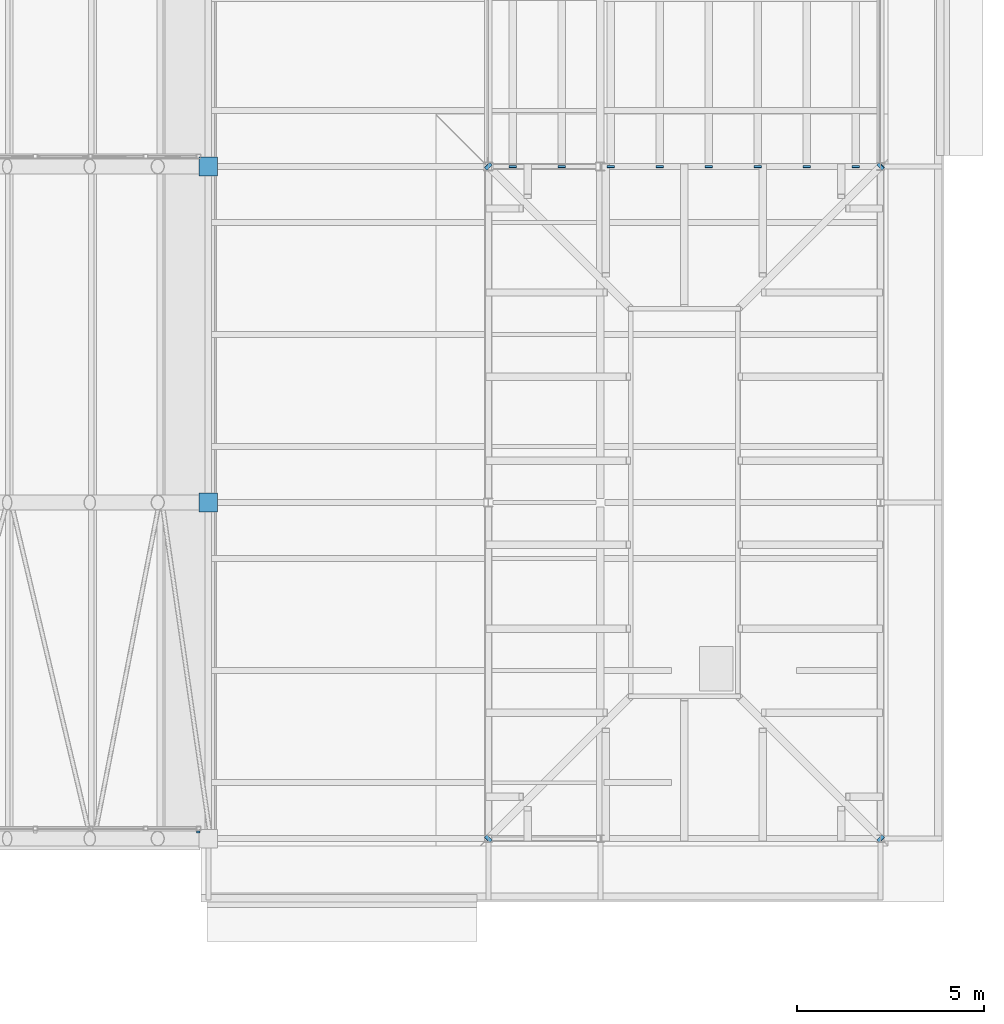
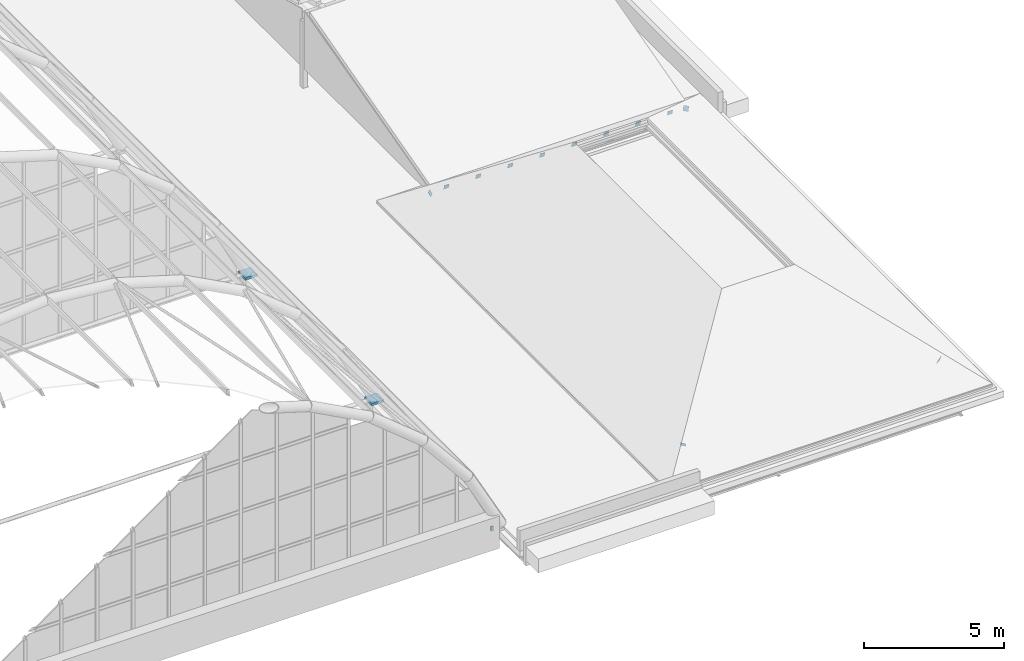
# One storey, part 105 of 121: 15 discrete accessories.
"""IFC4 building model written with IfcOpenShell, lengths in metres."""

from ifc_helpers import new_model, si_unit, direction, frame, origin, origin_2d, place, context, subcontext, project, spatial, rectangle, extrude, material, material_profile, profile_set, type_object, element, save


model = new_model("IFC4")

# Units and contexts
model_context = context("Model", 3, precision=1e-05, world=origin(), true_north=direction((0.0, 1.0)))
body_context = subcontext(model_context, "Body", "Model", "MODEL_VIEW")
ifc_project = project(units=[si_unit("LENGTHUNIT", "METRE"), si_unit("AREAUNIT", "SQUARE_METRE"), si_unit("VOLUMEUNIT", "CUBIC_METRE"), si_unit("PLANEANGLEUNIT", "RADIAN"), si_unit("MASSUNIT", "GRAM", prefix="KILO")], contexts=[model_context])

# Site, building, storey
site_placement = place(None, origin())
site = spatial("IfcSite", under=ifc_project, at=site_placement, CompositionType="ELEMENT")
building_placement = place(site_placement, origin())
building = spatial("IfcBuilding", under=site, at=building_placement, Name="Golden Quay Civic Hall", CompositionType="ELEMENT")
storey_placement = place(building_placement, frame((0.0, 0.0, 18.60009765625)))
storey = spatial("IfcBuildingStorey", under=building, at=storey_placement, Name="L04", CompositionType="ELEMENT", Elevation=18.60009765625)

# Discrete accessories
ifc_material_1 = material(Name="Steel S355", Category="steel")
discrete_accessory_type_1 = type_object("IfcDiscreteAccessoryType", Name="Hall screen bracket 100 x 200", PredefinedType="BRACKET", material=ifc_material_1)
discrete_accessory_placement = place(storey_placement, frame((98.735107421875, 0.179931640625, -0.21728515625), z_axis=(0.0, 0.0, 1.0), x_axis=(1.0, 0.0, 0.0)))
element("IfcDiscreteAccessory", 1, at=discrete_accessory_placement, inside=storey, type_object=discrete_accessory_type_1, Name="Hall screen bracket 18", PredefinedType="BRACKET", context=body_context, shape_type="SweptSolid", body=[
    extrude(rectangle(XDim=0.090087890625, YDim=0.06005859375, at=origin_2d()), origin(), (0.0, 0.0, 1.0), 0.199951171875),
])
ifc_material_2 = material(Name="Steel S355", Category="steel")
discrete_accessory_type_2 = type_object("IfcDiscreteAccessoryType", Name="Steel bearing shoe 500x500x100", PredefinedType="BRACKET", material=ifc_material_2)
for number, where, z_axis, x_axis, name in (
    (2, (99.0, 9.0, -0.000244140625), (0.0, 0.0, 1.0), (1.0, 0.0, 0.0), "Bearing shoe 2"),
    (3, (99.0, 18.0, -0.000244140625), (0.0, 0.0, 1.0), (1.0, 0.0, 0.0), "Bearing shoe 3"),
):
    element("IfcDiscreteAccessory", number, at=place(storey_placement, frame(where, z_axis=z_axis, x_axis=x_axis)), inside=storey, type_object=discrete_accessory_type_2, Name=name, PredefinedType="BRACKET", context=body_context, shape_type="SweptSolid", body=[
        extrude(rectangle(XDim=0.5, YDim=0.5, at=origin_2d()), origin(), (0.0, 0.0, 1.0), 0.10009765625),
    ])
ifc_material_3 = material(Name="Steel S355", Category="steel")
ifc_material_profile = material_profile(ifc_material_3, rectangle(XDim=0.199951171875, YDim=0.199951171875, at=origin_2d()), Name="Steel end cap plate 200x200x16")
ifc_profile_set = profile_set([ifc_material_profile], Name="Steel S355")
discrete_accessory_type_3 = type_object("IfcDiscreteAccessoryType", Name="Steel end cap plate 200x200x16", PredefinedType="BRACKET", material=ifc_profile_set)
for number, where, z_axis, x_axis, name in (
    (4, (106.5, 0.0, 0.92822265625), (-0.628025291884, -0.628025291884, -0.459530701378), (0.707106781187, -0.707106781187, 0.0), "End cap hip rafter EM-S south-west"),
    (5, (117.0, 0.0, 0.92822265625), (0.628025291884, -0.628025291884, -0.459530701378), (0.707106781187, 0.707106781187, 0.0), "End cap hip rafter EM-S south-east"),
    (6, (106.5, 18.0, 0.92822265625), (-0.628025291884, 0.628025291884, -0.459530701378), (-0.707106781187, -0.707106781187, 0.0), "End cap hip rafter EM-S north-west"),
    (7, (117.0, 18.0, 0.92822265625), (0.628025291884, 0.628025291884, -0.459530701378), (-0.707106781187, 0.707106781187, 0.0), "End cap hip rafter EM-S north-east"),
    (8, (107.15625, 18.0, 0.988525390625), (0.0, -0.965467637734, -0.260523013357), (1.0, 0.0, 0.0), "End cap gable rafter south 1"),
    (9, (108.46875, 18.0, 0.988525390625), (0.0, -0.965467637734, -0.260523013357), (1.0, 0.0, 0.0), "End cap gable rafter south 2"),
    (10, (109.78125, 18.0, 0.988525390625), (0.0, -0.965467637734, -0.260523013357), (1.0, 0.0, 0.0), "End cap gable rafter south 3"),
    (11, (111.09375, 18.0, 0.988525390625), (0.0, -0.965467637734, -0.260523013357), (1.0, 0.0, 0.0), "End cap gable rafter south 4"),
    (12, (112.40625, 18.0, 0.988525390625), (0.0, -0.965467637734, -0.260523013357), (1.0, 0.0, 0.0), "End cap gable rafter south 5"),
    (13, (113.71875, 18.0, 0.988525390625), (0.0, -0.965467637734, -0.260523013357), (1.0, 0.0, 0.0), "End cap gable rafter south 6"),
    (14, (115.03125, 18.0, 0.988525390625), (0.0, -0.965467637734, -0.260523013357), (1.0, 0.0, 0.0), "End cap gable rafter south 7"),
    (15, (116.34375, 18.0, 0.988525390625), (0.0, -0.965467637734, -0.260523013357), (1.0, 0.0, 0.0), "End cap gable rafter south 8"),
):
    element("IfcDiscreteAccessory", number, at=place(storey_placement, frame(where, z_axis=z_axis, x_axis=x_axis)), inside=storey, type_object=discrete_accessory_type_3, Name=name, PredefinedType="BRACKET", context=body_context, shape_type="SweptSolid", body=[
        extrude(rectangle(XDim=0.199951171875, YDim=0.199951171875, at=origin_2d()), origin(), (0.0, 0.0, 1.0), 0.015869140625),
    ])

save(model, "model.ifc")
